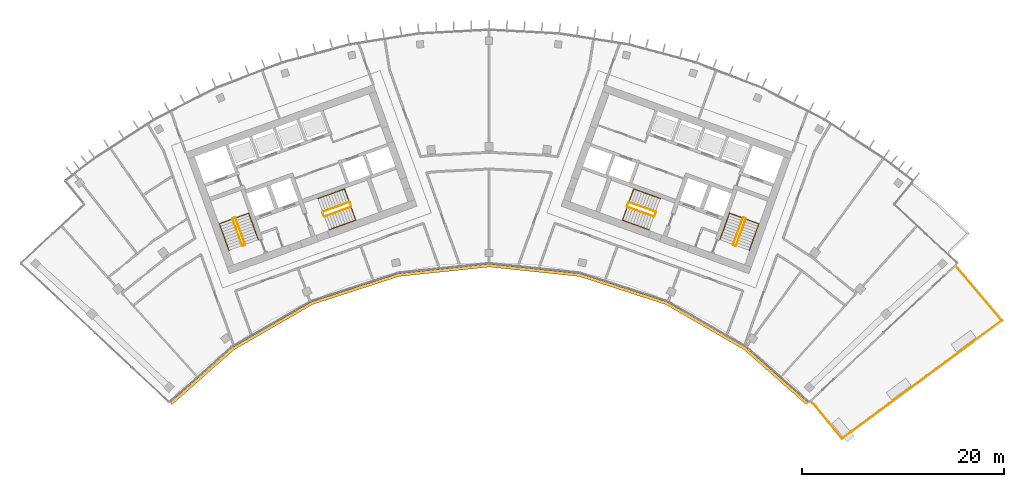
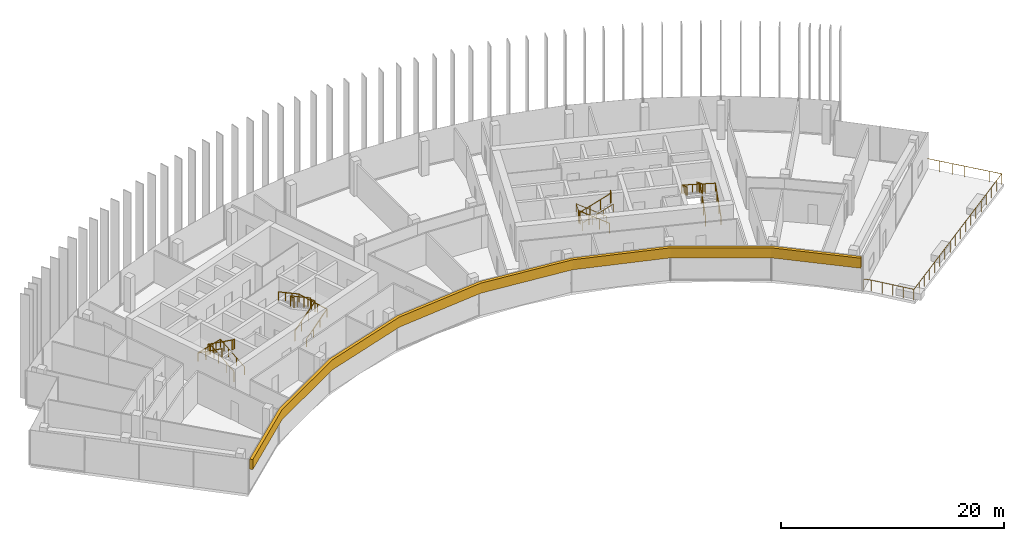
# One storey, part 18 of 19: 13 railings, 1 covering.
"""IFC4 building model written with IfcOpenShell, lengths in metres."""

from ifc_helpers import new_model, si_unit, direction, frame, origin, origin_2d, place, context, subcontext, project, spatial, polyline, circle, outline, extrude, material, layer, layer_set, type_object, element, save


model = new_model("IFC4")

# Units and contexts
model_context = context("Model", 3, precision=1e-05, world=origin(), true_north=direction((0.0, 1.0)))
body_context = subcontext(model_context, "Body", "Model", "MODEL_VIEW")
ifc_project = project(units=[si_unit("LENGTHUNIT", "METRE"), si_unit("AREAUNIT", "SQUARE_METRE"), si_unit("VOLUMEUNIT", "CUBIC_METRE"), si_unit("PLANEANGLEUNIT", "RADIAN"), si_unit("MASSUNIT", "GRAM", prefix="KILO")], contexts=[model_context])

# Site, building, storey
site_placement = place(None, origin())
site = spatial("IfcSite", under=ifc_project, at=site_placement, CompositionType="ELEMENT")
building_placement = place(site_placement, origin())
building = spatial("IfcBuilding", under=site, at=building_placement, Name="Stone Belt Terrace Tower", CompositionType="ELEMENT")
storey_placement = place(building_placement, frame((0.0, 0.0, 258.0)))
storey = spatial("IfcBuildingStorey", under=building, at=storey_placement, Name="L62", CompositionType="ELEMENT", Elevation=258.0)

# Railings
ifc_material_1 = material(Name="Structural steel C345", Category="steel")
railing_type_1 = type_object("IfcRailingType", Name="Stair guard 1100", PredefinedType="GUARDRAIL", material=ifc_material_1)
railing_1_placement = place(storey_placement, frame((-24.2119140625, 45.276123046875, 0.172607421875)))
element("IfcRailing", 1, at=railing_1_placement, inside=storey, type_object=railing_type_1, Name="L62 ST1A stair guard 1", PredefinedType="GUARDRAIL", context=body_context, shape_type="SweptSolid", body=[
    extrude(circle(Radius=0.02392578125, at=origin_2d()), frame((0.0, 0.0, 1.076171875), z_axis=(-0.288228637646, 0.800791768495, 0.525030280985), x_axis=(-0.940908529223, -0.338660803216, 0.0)), (0.0, 0.0, 1.0), 3.289794921875),
    extrude(circle(Radius=0.02392578125, at=origin_2d()), frame((-0.9482421875, 2.634521484375, 2.80322265625), z_axis=(-0.905209821074, 0.424964916, 0.0), x_axis=(-0.424964916, -0.905209821074, 0.0)), (0.0, 0.0, 1.0), 0.070556640625),
    extrude(circle(Radius=0.02392578125, at=origin_2d()), frame((-1.01220703125, 2.66455078125, 2.80322265625), z_axis=(-0.941105063269, -0.338114270461, 0.0), x_axis=(0.338114270461, -0.941105063269, 0.0)), (0.0, 0.0, 1.0), 0.199951171875),
    extrude(circle(Radius=0.02099609375, at=origin_2d()), origin(), (0.0, 0.0, 1.0), 1.052001953125),
    extrude(circle(Radius=0.02099609375, at=origin_2d()), frame((-0.316162109375, 0.878173828125, 0.57568359375)), (0.0, 0.0, 1.0), 1.052001953125),
    extrude(circle(Radius=0.02099609375, at=origin_2d()), frame((-0.632080078125, 1.75634765625, 1.151611328125)), (0.0, 0.0, 1.0), 1.052001953125),
    extrude(circle(Radius=0.02099609375, at=origin_2d()), frame((-0.9482421875, 2.634521484375, 1.727294921875)), (0.0, 0.0, 1.0), 1.052001953125),
    extrude(circle(Radius=0.02099609375, at=origin_2d()), frame((-1.01220703125, 2.66455078125, 1.727294921875)), (0.0, 0.0, 1.0), 1.052001953125),
    extrude(circle(Radius=0.02099609375, at=origin_2d()), frame((-1.200439453125, 2.596923828125, 1.727294921875)), (0.0, 0.0, 1.0), 1.052001953125),
])
railing_2_placement = place(storey_placement, frame((-25.4423828125, 47.80908203125, 2.07275390625)))
element("IfcRailing", 2, at=railing_2_placement, inside=storey, type_object=railing_type_1, Name="L62 ST1A stair guard 2", PredefinedType="GUARDRAIL", context=body_context, shape_type="SweptSolid", body=[
    extrude(circle(Radius=0.02392578125, at=origin_2d()), frame((0.0, 0.0, 1.076171875), z_axis=(0.288228637646, -0.800791768495, 0.525030280985), x_axis=(0.940908529223, 0.338660803216, 0.0)), (0.0, 0.0, 1.0), 3.289794921875),
    extrude(circle(Radius=0.02392578125, at=origin_2d()), frame((0.9482421875, -2.634521484375, 2.80322265625), z_axis=(0.903878284585, -0.427789722475, 0.0), x_axis=(0.427789722475, 0.903878284585, 0.0)), (0.0, 0.0, 1.0), 0.07080078125),
    extrude(circle(Radius=0.02392578125, at=origin_2d()), frame((1.01220703125, -2.664794921875, 2.80322265625), z_axis=(0.940575576748, 0.339584429008, 0.0), x_axis=(-0.339584429008, 0.940575576748, 0.0)), (0.0, 0.0, 1.0), 0.199951171875),
    extrude(circle(Radius=0.02099609375, at=origin_2d()), origin(), (0.0, 0.0, 1.0), 1.052001953125),
    extrude(circle(Radius=0.02099609375, at=origin_2d()), frame((0.316162109375, -0.878173828125, 0.57568359375)), (0.0, 0.0, 1.0), 1.052001953125),
    extrude(circle(Radius=0.02099609375, at=origin_2d()), frame((0.632080078125, -1.75634765625, 1.151611328125)), (0.0, 0.0, 1.0), 1.052001953125),
    extrude(circle(Radius=0.02099609375, at=origin_2d()), frame((0.9482421875, -2.634521484375, 1.727294921875)), (0.0, 0.0, 1.0), 1.052001953125),
    extrude(circle(Radius=0.02099609375, at=origin_2d()), frame((1.01220703125, -2.664794921875, 1.727294921875)), (0.0, 0.0, 1.0), 1.052001953125),
    extrude(circle(Radius=0.02099609375, at=origin_2d()), frame((1.2001953125, -2.596923828125, 1.727294921875)), (0.0, 0.0, 1.0), 1.052001953125),
])
railing_3_placement = place(storey_placement, frame((-16.33837890625, 48.056640625, 0.172607421875)))
element("IfcRailing", 3, at=railing_3_placement, inside=storey, type_object=railing_type_1, Name="L62 ST2A stair guard 1", PredefinedType="GUARDRAIL", context=body_context, shape_type="SweptSolid", body=[
    extrude(circle(Radius=0.02392578125, at=origin_2d()), frame((0.0, 0.0, 1.076171875), z_axis=(0.800808895155, 0.288160591223, 0.52504150989), x_axis=(-0.338583606334, 0.940936311087, 0.0)), (0.0, 0.0, 1.0), 3.289794921875),
    extrude(circle(Radius=0.02392578125, at=origin_2d()), frame((2.634521484375, 0.947998046875, 2.80322265625), z_axis=(0.427789722475, 0.903878284585, 0.0), x_axis=(-0.903878284585, 0.427789722475, 0.0)), (0.0, 0.0, 1.0), 0.07080078125),
    extrude(circle(Radius=0.02392578125, at=origin_2d()), frame((2.664794921875, 1.011962890625, 2.80322265625), z_axis=(-0.338654645739, 0.940910745459, 0.0), x_axis=(-0.940910745459, -0.338654645739, 0.0)), (0.0, 0.0, 1.0), 0.400146484375),
    extrude(circle(Radius=0.02099609375, at=origin_2d()), origin(), (0.0, 0.0, 1.0), 1.052001953125),
    extrude(circle(Radius=0.02099609375, at=origin_2d()), frame((0.878173828125, 0.31591796875, 0.57568359375)), (0.0, 0.0, 1.0), 1.052001953125),
    extrude(circle(Radius=0.02099609375, at=origin_2d()), frame((1.75634765625, 0.632080078125, 1.151611328125)), (0.0, 0.0, 1.0), 1.052001953125),
    extrude(circle(Radius=0.02099609375, at=origin_2d()), frame((2.634521484375, 0.947998046875, 1.727294921875)), (0.0, 0.0, 1.0), 1.052001953125),
    extrude(circle(Radius=0.02099609375, at=origin_2d()), frame((2.664794921875, 1.011962890625, 1.727294921875)), (0.0, 0.0, 1.0), 1.052001953125),
    extrude(circle(Radius=0.02099609375, at=origin_2d()), frame((2.529296875, 1.388427734375, 1.727294921875)), (0.0, 0.0, 1.0), 1.052001953125),
])
railing_4_placement = place(storey_placement, frame((-13.873046875, 49.47509765625, 2.07275390625)))
element("IfcRailing", 4, at=railing_4_placement, inside=storey, type_object=railing_type_1, Name="L62 ST2A stair guard 2", PredefinedType="GUARDRAIL", context=body_context, shape_type="SweptSolid", body=[
    extrude(circle(Radius=0.02392578125, at=origin_2d()), frame((0.0, 0.0, 1.076171875), z_axis=(-0.800808895155, -0.288160591223, 0.52504150989), x_axis=(0.338583606334, -0.940936311087, 0.0)), (0.0, 0.0, 1.0), 3.289794921875),
    extrude(circle(Radius=0.02392578125, at=origin_2d()), frame((-2.634521484375, -0.947998046875, 2.80322265625), z_axis=(-0.427789722475, -0.903878284585, 0.0), x_axis=(0.903878284585, -0.427789722475, 0.0)), (0.0, 0.0, 1.0), 0.07080078125),
    extrude(circle(Radius=0.02392578125, at=origin_2d()), frame((-2.664794921875, -1.011962890625, 2.80322265625), z_axis=(0.338654645739, -0.940910745459, 0.0), x_axis=(0.940910745459, 0.338654645739, 0.0)), (0.0, 0.0, 1.0), 0.400146484375),
    extrude(circle(Radius=0.02099609375, at=origin_2d()), origin(), (0.0, 0.0, 1.0), 1.052001953125),
    extrude(circle(Radius=0.02099609375, at=origin_2d()), frame((-0.878173828125, -0.31591796875, 0.57568359375)), (0.0, 0.0, 1.0), 1.052001953125),
    extrude(circle(Radius=0.02099609375, at=origin_2d()), frame((-1.75634765625, -0.632080078125, 1.151611328125)), (0.0, 0.0, 1.0), 1.052001953125),
    extrude(circle(Radius=0.02099609375, at=origin_2d()), frame((-2.634521484375, -0.947998046875, 1.727294921875)), (0.0, 0.0, 1.0), 1.052001953125),
    extrude(circle(Radius=0.02099609375, at=origin_2d()), frame((-2.664794921875, -1.011962890625, 1.727294921875)), (0.0, 0.0, 1.0), 1.052001953125),
    extrude(circle(Radius=0.02099609375, at=origin_2d()), frame((-2.529296875, -1.388427734375, 1.727294921875)), (0.0, 0.0, 1.0), 1.052001953125),
])
railing_5_placement = place(storey_placement, frame((24.494140625, 45.174560546875, 0.172607421875)))
element("IfcRailing", 5, at=railing_5_placement, inside=storey, type_object=railing_type_1, Name="L62 ST1B stair guard 1", PredefinedType="GUARDRAIL", context=body_context, shape_type="SweptSolid", body=[
    extrude(circle(Radius=0.02392578125, at=origin_2d()), frame((0.0, 0.0, 1.076171875), z_axis=(0.288228637646, 0.800791768495, 0.525030280985), x_axis=(-0.940908529223, 0.338660803216, 0.0)), (0.0, 0.0, 1.0), 3.289794921875),
    extrude(circle(Radius=0.02392578125, at=origin_2d()), frame((0.9482421875, 2.634521484375, 2.80322265625), z_axis=(-0.424964916, 0.905209821074, 0.0), x_axis=(-0.905209821074, -0.424964916, 0.0)), (0.0, 0.0, 1.0), 0.070556640625),
    extrude(circle(Radius=0.02392578125, at=origin_2d()), frame((0.918212890625, 2.698486328125, 2.80322265625), z_axis=(-0.941105063269, 0.338114270461, 0.0), x_axis=(-0.338114270461, -0.941105063269, 0.0)), (0.0, 0.0, 1.0), 0.199951171875),
    extrude(circle(Radius=0.02099609375, at=origin_2d()), origin(), (0.0, 0.0, 1.0), 1.052001953125),
    extrude(circle(Radius=0.02099609375, at=origin_2d()), frame((0.316162109375, 0.878173828125, 0.57568359375)), (0.0, 0.0, 1.0), 1.052001953125),
    extrude(circle(Radius=0.02099609375, at=origin_2d()), frame((0.632080078125, 1.75634765625, 1.151611328125)), (0.0, 0.0, 1.0), 1.052001953125),
    extrude(circle(Radius=0.02099609375, at=origin_2d()), frame((0.9482421875, 2.634521484375, 1.727294921875)), (0.0, 0.0, 1.0), 1.052001953125),
    extrude(circle(Radius=0.02099609375, at=origin_2d()), frame((0.918212890625, 2.698486328125, 1.727294921875)), (0.0, 0.0, 1.0), 1.052001953125),
    extrude(circle(Radius=0.02099609375, at=origin_2d()), frame((0.72998046875, 2.76611328125, 1.727294921875)), (0.0, 0.0, 1.0), 1.052001953125),
])
railing_6_placement = place(storey_placement, frame((25.16015625, 47.91064453125, 2.07275390625)))
element("IfcRailing", 6, at=railing_6_placement, inside=storey, type_object=railing_type_1, Name="L62 ST1B stair guard 2", PredefinedType="GUARDRAIL", context=body_context, shape_type="SweptSolid", body=[
    extrude(circle(Radius=0.02392578125, at=origin_2d()), frame((0.0, 0.0, 1.076171875), z_axis=(-0.288228637646, -0.800791768495, 0.525030280985), x_axis=(0.940908529223, -0.338660803216, 0.0)), (0.0, 0.0, 1.0), 3.289794921875),
    extrude(circle(Radius=0.02392578125, at=origin_2d()), frame((-0.9482421875, -2.634521484375, 2.80322265625), z_axis=(0.427789722475, -0.903878284585, 0.0), x_axis=(0.903878284585, 0.427789722475, 0.0)), (0.0, 0.0, 1.0), 0.07080078125),
    extrude(circle(Radius=0.02392578125, at=origin_2d()), frame((-0.91796875, -2.698486328125, 2.80322265625), z_axis=(0.940575576748, -0.339584429008, 0.0), x_axis=(0.339584429008, 0.940575576748, 0.0)), (0.0, 0.0, 1.0), 0.199951171875),
    extrude(circle(Radius=0.02099609375, at=origin_2d()), origin(), (0.0, 0.0, 1.0), 1.052001953125),
    extrude(circle(Radius=0.02099609375, at=origin_2d()), frame((-0.316162109375, -0.878173828125, 0.57568359375)), (0.0, 0.0, 1.0), 1.052001953125),
    extrude(circle(Radius=0.02099609375, at=origin_2d()), frame((-0.632080078125, -1.75634765625, 1.151611328125)), (0.0, 0.0, 1.0), 1.052001953125),
    extrude(circle(Radius=0.02099609375, at=origin_2d()), frame((-0.9482421875, -2.634521484375, 1.727294921875)), (0.0, 0.0, 1.0), 1.052001953125),
    extrude(circle(Radius=0.02099609375, at=origin_2d()), frame((-0.91796875, -2.698486328125, 1.727294921875)), (0.0, 0.0, 1.0), 1.052001953125),
    extrude(circle(Radius=0.02099609375, at=origin_2d()), frame((-0.72998046875, -2.766357421875, 1.727294921875)), (0.0, 0.0, 1.0), 1.052001953125),
])
railing_7_placement = place(storey_placement, frame((16.507568359375, 48.527099609375, 0.172607421875)))
element("IfcRailing", 7, at=railing_7_placement, inside=storey, type_object=railing_type_1, Name="L62 ST2B stair guard 1", PredefinedType="GUARDRAIL", context=body_context, shape_type="SweptSolid", body=[
    extrude(circle(Radius=0.02392578125, at=origin_2d()), frame((0.0, 0.0, 1.076171875), z_axis=(-0.800808895155, 0.288160591223, 0.52504150989), x_axis=(-0.338583606334, -0.940936311087, 0.0)), (0.0, 0.0, 1.0), 3.289794921875),
    extrude(circle(Radius=0.02392578125, at=origin_2d()), frame((-2.634521484375, 0.947998046875, 2.80322265625), z_axis=(-0.905209821074, -0.424964916, 0.0), x_axis=(0.424964916, -0.905209821074, 0.0)), (0.0, 0.0, 1.0), 0.070556640625),
    extrude(circle(Radius=0.02392578125, at=origin_2d()), frame((-2.698486328125, 0.91796875, 2.80322265625), z_axis=(-0.338654645739, -0.940910745459, 0.0), x_axis=(0.940910745459, -0.338654645739, 0.0)), (0.0, 0.0, 1.0), 0.400146484375),
    extrude(circle(Radius=0.02099609375, at=origin_2d()), origin(), (0.0, 0.0, 1.0), 1.052001953125),
    extrude(circle(Radius=0.02099609375, at=origin_2d()), frame((-0.878173828125, 0.31591796875, 0.57568359375)), (0.0, 0.0, 1.0), 1.052001953125),
    extrude(circle(Radius=0.02099609375, at=origin_2d()), frame((-1.75634765625, 0.632080078125, 1.151611328125)), (0.0, 0.0, 1.0), 1.052001953125),
    extrude(circle(Radius=0.02099609375, at=origin_2d()), frame((-2.634521484375, 0.947998046875, 1.727294921875)), (0.0, 0.0, 1.0), 1.052001953125),
    extrude(circle(Radius=0.02099609375, at=origin_2d()), frame((-2.698486328125, 0.91796875, 1.727294921875)), (0.0, 0.0, 1.0), 1.052001953125),
    extrude(circle(Radius=0.02099609375, at=origin_2d()), frame((-2.833984375, 0.54150390625, 1.727294921875)), (0.0, 0.0, 1.0), 1.052001953125),
])
railing_8_placement = place(storey_placement, frame((13.703857421875, 49.004638671875, 2.07275390625)))
element("IfcRailing", 8, at=railing_8_placement, inside=storey, type_object=railing_type_1, Name="L62 ST2B stair guard 2", PredefinedType="GUARDRAIL", context=body_context, shape_type="SweptSolid", body=[
    extrude(circle(Radius=0.02392578125, at=origin_2d()), frame((0.0, 0.0, 1.076171875), z_axis=(0.800808895155, -0.288160591223, 0.52504150989), x_axis=(0.338583606334, 0.940936311087, 0.0)), (0.0, 0.0, 1.0), 3.289794921875),
    extrude(circle(Radius=0.02392578125, at=origin_2d()), frame((2.634521484375, -0.947998046875, 2.80322265625), z_axis=(0.905209821074, 0.424964916, 0.0), x_axis=(-0.424964916, 0.905209821074, 0.0)), (0.0, 0.0, 1.0), 0.070556640625),
    extrude(circle(Radius=0.02392578125, at=origin_2d()), frame((2.698486328125, -0.91796875, 2.80322265625), z_axis=(0.338654645739, 0.940910745459, 0.0), x_axis=(-0.940910745459, 0.338654645739, 0.0)), (0.0, 0.0, 1.0), 0.400146484375),
    extrude(circle(Radius=0.02099609375, at=origin_2d()), origin(), (0.0, 0.0, 1.0), 1.052001953125),
    extrude(circle(Radius=0.02099609375, at=origin_2d()), frame((0.878173828125, -0.31591796875, 0.57568359375)), (0.0, 0.0, 1.0), 1.052001953125),
    extrude(circle(Radius=0.02099609375, at=origin_2d()), frame((1.75634765625, -0.632080078125, 1.151611328125)), (0.0, 0.0, 1.0), 1.052001953125),
    extrude(circle(Radius=0.02099609375, at=origin_2d()), frame((2.634521484375, -0.947998046875, 1.727294921875)), (0.0, 0.0, 1.0), 1.052001953125),
    extrude(circle(Radius=0.02099609375, at=origin_2d()), frame((2.698486328125, -0.91796875, 1.727294921875)), (0.0, 0.0, 1.0), 1.052001953125),
    extrude(circle(Radius=0.02099609375, at=origin_2d()), frame((2.833984375, -0.54150390625, 1.727294921875)), (0.0, 0.0, 1.0), 1.052001953125),
])
railing_type_2 = type_object("IfcRailingType", Name="Stair handrail 900", PredefinedType="HANDRAIL", material=ifc_material_1)
railing_9_placement = place(storey_placement, frame((-22.894775390625, 45.750244140625, 0.172607421875)))
element("IfcRailing", 9, at=railing_9_placement, inside=storey, type_object=railing_type_2, Name="L62 ST1A stair handrail 1", PredefinedType="HANDRAIL", context=body_context, shape_type="SweptSolid", body=[
    extrude(circle(Radius=0.02392578125, at=origin_2d()), frame((0.0, 0.0, 0.8759765625), z_axis=(-0.288160591223, 0.800808895155, 0.52504150989), x_axis=(-0.940936311087, -0.338583606334, 0.0)), (0.0, 0.0, 1.0), 3.289794921875),
    extrude(circle(Radius=0.02392578125, at=origin_2d()), frame((-0.947998046875, 2.634521484375, 2.60302734375), z_axis=(-0.939460408074, -0.338105101667, 0.055669398135), x_axis=(0.338630230244, -0.940919532779, 0.0)), (0.0, 0.0, 1.0), 3.10498046875),
    extrude(circle(Radius=0.02392578125, at=origin_2d()), frame((-3.864990234375, 1.584716796875, 2.77587890625), z_axis=(0.288228637646, -0.800791768495, 0.525030280985), x_axis=(0.940908529223, 0.338660803216, 0.0)), (0.0, 0.0, 1.0), 3.289794921875),
    extrude(circle(Radius=0.02099609375, at=origin_2d()), origin(), (0.0, 0.0, 1.0), 0.851806640625),
    extrude(circle(Radius=0.02099609375, at=origin_2d()), frame((-0.31591796875, 0.878173828125, 0.57568359375)), (0.0, 0.0, 1.0), 0.851806640625),
    extrude(circle(Radius=0.02099609375, at=origin_2d()), frame((-0.632080078125, 1.75634765625, 1.151611328125)), (0.0, 0.0, 1.0), 0.851806640625),
    extrude(circle(Radius=0.02099609375, at=origin_2d()), frame((-0.947998046875, 2.634521484375, 1.727294921875)), (0.0, 0.0, 1.0), 0.851806640625),
    extrude(circle(Radius=0.02099609375, at=origin_2d()), frame((-1.92041015625, 2.28466796875, 1.784912109375)), (0.0, 0.0, 1.0), 0.851806640625),
    extrude(circle(Radius=0.02099609375, at=origin_2d()), frame((-2.892578125, 1.9345703125, 1.842529296875)), (0.0, 0.0, 1.0), 0.851806640625),
    extrude(circle(Radius=0.02099609375, at=origin_2d()), frame((-3.864990234375, 1.584716796875, 1.900146484375)), (0.0, 0.0, 1.0), 0.851806640625),
    extrude(circle(Radius=0.02099609375, at=origin_2d()), frame((-3.548828125, 0.70654296875, 2.475830078125)), (0.0, 0.0, 1.0), 0.851806640625),
    extrude(circle(Radius=0.02099609375, at=origin_2d()), frame((-3.23291015625, -0.171630859375, 3.0517578125)), (0.0, 0.0, 1.0), 0.851806640625),
    extrude(circle(Radius=0.02099609375, at=origin_2d()), frame((-2.916748046875, -1.0498046875, 3.62744140625)), (0.0, 0.0, 1.0), 0.851806640625),
])
railing_10_placement = place(storey_placement, frame((-15.8642578125, 46.7392578125, 0.172607421875)))
element("IfcRailing", 10, at=railing_10_placement, inside=storey, type_object=railing_type_2, Name="L62 ST2A stair handrail 1", PredefinedType="HANDRAIL", context=body_context, shape_type="SweptSolid", body=[
    extrude(circle(Radius=0.02392578125, at=origin_2d()), frame((0.0, 0.0, 0.8759765625), z_axis=(0.800791768495, 0.288228637646, 0.525030280985), x_axis=(-0.338660803216, 0.940908529223, 0.0)), (0.0, 0.0, 1.0), 3.289794921875),
    extrude(circle(Radius=0.02392578125, at=origin_2d()), frame((2.634521484375, 0.9482421875, 2.60302734375), z_axis=(-0.338158948057, 0.939634149308, 0.052308615955), x_axis=(-0.940922302781, -0.338622533404, 0.0)), (0.0, 0.0, 1.0), 3.304443359375),
    extrude(circle(Radius=0.02392578125, at=origin_2d()), frame((1.51708984375, 4.05322265625, 2.77587890625), z_axis=(-0.800791768495, -0.288228637646, 0.525030280985), x_axis=(0.338660803216, -0.940908529223, 0.0)), (0.0, 0.0, 1.0), 3.289794921875),
    extrude(circle(Radius=0.02099609375, at=origin_2d()), origin(), (0.0, 0.0, 1.0), 0.851806640625),
    extrude(circle(Radius=0.02099609375, at=origin_2d()), frame((0.878173828125, 0.316162109375, 0.57568359375)), (0.0, 0.0, 1.0), 0.851806640625),
    extrude(circle(Radius=0.02099609375, at=origin_2d()), frame((1.75634765625, 0.632080078125, 1.151611328125)), (0.0, 0.0, 1.0), 0.851806640625),
    extrude(circle(Radius=0.02099609375, at=origin_2d()), frame((2.634521484375, 0.9482421875, 1.727294921875)), (0.0, 0.0, 1.0), 0.851806640625),
    extrude(circle(Radius=0.02099609375, at=origin_2d()), frame((2.261962890625, 1.983154296875, 1.784912109375)), (0.0, 0.0, 1.0), 0.851806640625),
    extrude(circle(Radius=0.02099609375, at=origin_2d()), frame((1.8896484375, 3.018310546875, 1.842529296875)), (0.0, 0.0, 1.0), 0.851806640625),
    extrude(circle(Radius=0.02099609375, at=origin_2d()), frame((1.51708984375, 4.05322265625, 1.900146484375)), (0.0, 0.0, 1.0), 0.851806640625),
    extrude(circle(Radius=0.02099609375, at=origin_2d()), frame((0.638916015625, 3.737060546875, 2.475830078125)), (0.0, 0.0, 1.0), 0.851806640625),
    extrude(circle(Radius=0.02099609375, at=origin_2d()), frame((-0.2392578125, 3.421142578125, 3.0517578125)), (0.0, 0.0, 1.0), 0.851806640625),
    extrude(circle(Radius=0.02099609375, at=origin_2d()), frame((-1.117431640625, 3.10498046875, 3.62744140625)), (0.0, 0.0, 1.0), 0.851806640625),
])
railing_11_placement = place(storey_placement, frame((25.8115234375, 44.700439453125, 0.172607421875)))
element("IfcRailing", 11, at=railing_11_placement, inside=storey, type_object=railing_type_2, Name="L62 ST1B stair handrail 1", PredefinedType="HANDRAIL", context=body_context, shape_type="SweptSolid", body=[
    extrude(circle(Radius=0.02392578125, at=origin_2d()), frame((0.0, 0.0, 0.8759765625), z_axis=(0.288228637646, 0.800791768495, 0.525030280985), x_axis=(-0.940908529223, 0.338660803216, 0.0)), (0.0, 0.0, 1.0), 3.289794921875),
    extrude(circle(Radius=0.02392578125, at=origin_2d()), frame((0.9482421875, 2.634521484375, 2.60302734375), z_axis=(-0.939460408074, 0.338105101667, 0.055669398135), x_axis=(-0.338630230244, -0.940919532779, 0.0)), (0.0, 0.0, 1.0), 3.10498046875),
    extrude(circle(Radius=0.02392578125, at=origin_2d()), frame((-1.96875, 3.684326171875, 2.77587890625), z_axis=(-0.288160591223, -0.800808895155, 0.52504150989), x_axis=(0.940936311087, -0.338583606334, 0.0)), (0.0, 0.0, 1.0), 3.289794921875),
    extrude(circle(Radius=0.02099609375, at=origin_2d()), origin(), (0.0, 0.0, 1.0), 0.851806640625),
    extrude(circle(Radius=0.02099609375, at=origin_2d()), frame((0.316162109375, 0.878173828125, 0.57568359375)), (0.0, 0.0, 1.0), 0.851806640625),
    extrude(circle(Radius=0.02099609375, at=origin_2d()), frame((0.632080078125, 1.75634765625, 1.151611328125)), (0.0, 0.0, 1.0), 0.851806640625),
    extrude(circle(Radius=0.02099609375, at=origin_2d()), frame((0.9482421875, 2.634521484375, 1.727294921875)), (0.0, 0.0, 1.0), 0.851806640625),
    extrude(circle(Radius=0.02099609375, at=origin_2d()), frame((-0.024169921875, 2.984375, 1.784912109375)), (0.0, 0.0, 1.0), 0.851806640625),
    extrude(circle(Radius=0.02099609375, at=origin_2d()), frame((-0.996337890625, 3.33447265625, 1.842529296875)), (0.0, 0.0, 1.0), 0.851806640625),
    extrude(circle(Radius=0.02099609375, at=origin_2d()), frame((-1.96875, 3.684326171875, 1.900146484375)), (0.0, 0.0, 1.0), 0.851806640625),
    extrude(circle(Radius=0.02099609375, at=origin_2d()), frame((-2.28466796875, 2.80615234375, 2.475830078125)), (0.0, 0.0, 1.0), 0.851806640625),
    extrude(circle(Radius=0.02099609375, at=origin_2d()), frame((-2.600830078125, 1.927978515625, 3.0517578125)), (0.0, 0.0, 1.0), 0.851806640625),
    extrude(circle(Radius=0.02099609375, at=origin_2d()), frame((-2.916748046875, 1.0498046875, 3.62744140625)), (0.0, 0.0, 1.0), 0.851806640625),
])
railing_12_placement = place(storey_placement, frame((16.981689453125, 49.84423828125, 0.172607421875)))
element("IfcRailing", 12, at=railing_12_placement, inside=storey, type_object=railing_type_2, Name="L62 ST2B stair handrail 1", PredefinedType="HANDRAIL", context=body_context, shape_type="SweptSolid", body=[
    extrude(circle(Radius=0.02392578125, at=origin_2d()), frame((0.0, 0.0, 0.8759765625), z_axis=(-0.800791768495, 0.288228637646, 0.525030280985), x_axis=(-0.338660803216, -0.940908529223, 0.0)), (0.0, 0.0, 1.0), 3.289794921875),
    extrude(circle(Radius=0.02392578125, at=origin_2d()), frame((-2.634521484375, 0.9482421875, 2.60302734375), z_axis=(-0.338158948057, -0.939634149308, 0.052308615955), x_axis=(0.940922302781, -0.338622533404, 0.0)), (0.0, 0.0, 1.0), 3.304443359375),
    extrude(circle(Radius=0.02392578125, at=origin_2d()), frame((-3.751953125, -2.15673828125, 2.77587890625), z_axis=(0.800791768495, -0.288228637646, 0.525030280985), x_axis=(0.338660803216, 0.940908529223, 0.0)), (0.0, 0.0, 1.0), 3.289794921875),
    extrude(circle(Radius=0.02099609375, at=origin_2d()), origin(), (0.0, 0.0, 1.0), 0.851806640625),
    extrude(circle(Radius=0.02099609375, at=origin_2d()), frame((-0.878173828125, 0.316162109375, 0.57568359375)), (0.0, 0.0, 1.0), 0.851806640625),
    extrude(circle(Radius=0.02099609375, at=origin_2d()), frame((-1.75634765625, 0.632080078125, 1.151611328125)), (0.0, 0.0, 1.0), 0.851806640625),
    extrude(circle(Radius=0.02099609375, at=origin_2d()), frame((-2.634521484375, 0.9482421875, 1.727294921875)), (0.0, 0.0, 1.0), 0.851806640625),
    extrude(circle(Radius=0.02099609375, at=origin_2d()), frame((-3.007080078125, -0.086669921875, 1.784912109375)), (0.0, 0.0, 1.0), 0.851806640625),
    extrude(circle(Radius=0.02099609375, at=origin_2d()), frame((-3.37939453125, -1.121826171875, 1.842529296875)), (0.0, 0.0, 1.0), 0.851806640625),
    extrude(circle(Radius=0.02099609375, at=origin_2d()), frame((-3.751953125, -2.15673828125, 1.900146484375)), (0.0, 0.0, 1.0), 0.851806640625),
    extrude(circle(Radius=0.02099609375, at=origin_2d()), frame((-2.873779296875, -2.472900390625, 2.475830078125)), (0.0, 0.0, 1.0), 0.851806640625),
    extrude(circle(Radius=0.02099609375, at=origin_2d()), frame((-1.99560546875, -2.788818359375, 3.0517578125)), (0.0, 0.0, 1.0), 0.851806640625),
    extrude(circle(Radius=0.02099609375, at=origin_2d()), frame((-1.117431640625, -3.10498046875, 3.62744140625)), (0.0, 0.0, 1.0), 0.851806640625),
])
ifc_material_2 = material(Name="Stainless steel AISI 304", Category="steel")
railing_type_3 = type_object("IfcRailingType", Name="Terrace guard 1200", PredefinedType="GUARDRAIL", material=ifc_material_2)
railing_13_placement = place(storey_placement, frame((31.940185546875, 29.7060546875, 0.0)))
element("IfcRailing", 13, at=railing_13_placement, inside=storey, type_object=railing_type_3, Name="GUARD L62 1.1", PredefinedType="GUARDRAIL", context=body_context, shape_type="SweptSolid", body=[
    extrude(circle(Radius=0.02490234375, at=origin_2d()), frame((0.0, 0.0, 1.1748046875), z_axis=(0.707106781187, -0.707106781187, 0.0), x_axis=(0.707106781187, 0.707106781187, 0.0)), (0.0, 0.0, 1.0), 0.704345703125),
    extrude(circle(Radius=0.02490234375, at=origin_2d()), frame((0.498046875, -0.498046875, 1.1748046875), z_axis=(0.63237575589, -0.774661799344, 0.0), x_axis=(0.774661799344, 0.63237575589, 0.0)), (0.0, 0.0, 1.0), 4.073486328125),
    extrude(circle(Radius=0.02490234375, at=origin_2d()), frame((3.073974609375, -3.653564453125, 1.1748046875), z_axis=(0.804329644016, 0.594183325041, 0.0), x_axis=(-0.594183325041, 0.804329644016, 0.0)), (0.0, 0.0, 1.0), 19.696533203125),
    extrude(circle(Radius=0.02490234375, at=origin_2d()), frame((18.91650390625, 8.0498046875, 1.1748046875), z_axis=(-0.647208840891, 0.762312741775, 0.0), x_axis=(-0.762312741775, -0.647208840891, 0.0)), (0.0, 0.0, 1.0), 7.06298828125),
    extrude(circle(Radius=0.02001953125, at=origin_2d()), origin(), (0.0, 0.0, 1.0), 1.14990234375),
    extrude(circle(Radius=0.02001953125, at=origin_2d()), frame((0.498046875, -0.498046875, 0.0)), (0.0, 0.0, 1.0), 1.14990234375),
    extrude(circle(Radius=0.02001953125, at=origin_2d()), frame((1.14208984375, -1.286865234375, 0.0)), (0.0, 0.0, 1.0), 1.14990234375),
    extrude(circle(Radius=0.02001953125, at=origin_2d()), frame((1.7861328125, -2.07568359375, 0.0)), (0.0, 0.0, 1.0), 1.14990234375),
    extrude(circle(Radius=0.02001953125, at=origin_2d()), frame((2.429931640625, -2.86474609375, 0.0)), (0.0, 0.0, 1.0), 1.14990234375),
    extrude(circle(Radius=0.02001953125, at=origin_2d()), frame((3.073974609375, -3.653564453125, 0.0)), (0.0, 0.0, 1.0), 1.14990234375),
    extrude(circle(Radius=0.02001953125, at=origin_2d()), frame((4.005859375, -2.965087890625, 0.0)), (0.0, 0.0, 1.0), 1.14990234375),
    extrude(circle(Radius=0.02001953125, at=origin_2d()), frame((4.937744140625, -2.276611328125, 0.0)), (0.0, 0.0, 1.0), 1.14990234375),
    extrude(circle(Radius=0.02001953125, at=origin_2d()), frame((5.86962890625, -1.58837890625, 0.0)), (0.0, 0.0, 1.0), 1.14990234375),
    extrude(circle(Radius=0.02001953125, at=origin_2d()), frame((6.801513671875, -0.89990234375, 0.0)), (0.0, 0.0, 1.0), 1.14990234375),
    extrude(circle(Radius=0.02001953125, at=origin_2d()), frame((7.733642578125, -0.21142578125, 0.0)), (0.0, 0.0, 1.0), 1.14990234375),
    extrude(circle(Radius=0.02001953125, at=origin_2d()), frame((8.66552734375, 0.47705078125, 0.0)), (0.0, 0.0, 1.0), 1.14990234375),
    extrude(circle(Radius=0.02001953125, at=origin_2d()), frame((9.597412109375, 1.16552734375, 0.0)), (0.0, 0.0, 1.0), 1.14990234375),
    extrude(circle(Radius=0.02001953125, at=origin_2d()), frame((10.529296875, 1.85400390625, 0.0)), (0.0, 0.0, 1.0), 1.14990234375),
    extrude(circle(Radius=0.02001953125, at=origin_2d()), frame((11.461181640625, 2.542236328125, 0.0)), (0.0, 0.0, 1.0), 1.14990234375),
    extrude(circle(Radius=0.02001953125, at=origin_2d()), frame((12.39306640625, 3.230712890625, 0.0)), (0.0, 0.0, 1.0), 1.14990234375),
    extrude(circle(Radius=0.02001953125, at=origin_2d()), frame((13.324951171875, 3.919189453125, 0.0)), (0.0, 0.0, 1.0), 1.14990234375),
    extrude(circle(Radius=0.02001953125, at=origin_2d()), frame((14.2568359375, 4.607666015625, 0.0)), (0.0, 0.0, 1.0), 1.14990234375),
    extrude(circle(Radius=0.02001953125, at=origin_2d()), frame((15.18896484375, 5.296142578125, 0.0)), (0.0, 0.0, 1.0), 1.14990234375),
    extrude(circle(Radius=0.02001953125, at=origin_2d()), frame((16.120849609375, 5.984619140625, 0.0)), (0.0, 0.0, 1.0), 1.14990234375),
    extrude(circle(Radius=0.02001953125, at=origin_2d()), frame((17.052734375, 6.6728515625, 0.0)), (0.0, 0.0, 1.0), 1.14990234375),
    extrude(circle(Radius=0.02001953125, at=origin_2d()), frame((17.984619140625, 7.361328125, 0.0)), (0.0, 0.0, 1.0), 1.14990234375),
    extrude(circle(Radius=0.02001953125, at=origin_2d()), frame((18.91650390625, 8.0498046875, 0.0)), (0.0, 0.0, 1.0), 1.14990234375),
    extrude(circle(Radius=0.02001953125, at=origin_2d()), frame((18.154541015625, 8.947265625, 0.0)), (0.0, 0.0, 1.0), 1.14990234375),
    extrude(circle(Radius=0.02001953125, at=origin_2d()), frame((17.392822265625, 9.844482421875, 0.0)), (0.0, 0.0, 1.0), 1.14990234375),
    extrude(circle(Radius=0.02001953125, at=origin_2d()), frame((16.630859375, 10.741943359375, 0.0)), (0.0, 0.0, 1.0), 1.14990234375),
    extrude(circle(Radius=0.02001953125, at=origin_2d()), frame((15.868896484375, 11.639404296875, 0.0)), (0.0, 0.0, 1.0), 1.14990234375),
    extrude(circle(Radius=0.02001953125, at=origin_2d()), frame((15.107177734375, 12.53662109375, 0.0)), (0.0, 0.0, 1.0), 1.14990234375),
    extrude(circle(Radius=0.02001953125, at=origin_2d()), frame((14.34521484375, 13.43408203125, 0.0)), (0.0, 0.0, 1.0), 1.14990234375),
])

# Covering
ifc_material_3 = material(Name="Terracotta coloured glazed ceramic", Category="masonry")
ifc_layer = layer(ifc_material_3, 0.300048828125)
ifc_layer_set = layer_set([ifc_layer], Name="Terracotta spandrel band 300 x 1100")
covering_type = type_object("IfcCoveringType", Name="Terracotta spandrel band 300 x 1100", PredefinedType="CLADDING", material=ifc_layer_set)
covering_placement = place(storey_placement, frame((0.0, 0.0, 2.699951171875)))
element("IfcCovering", 14, at=covering_placement, inside=storey, type_object=covering_type, Name="BAND L62", PredefinedType="CLADDING", context=body_context, shape_type="SweptSolid", body=[
    extrude(outline(polyline([(-31.651611328125, 29.6220703125), (-25.480712890625, 35.06982421875), (-17.631591796875, 39.6015625), (-9.0126953125, 42.40185546875), (0.0, 43.34912109375), (9.0126953125, 42.40185546875), (17.631591796875, 39.6015625), (25.480712890625, 35.06982421875), (31.651611328125, 29.6220703125), (31.453125, 29.39697265625), (25.3046875, 34.824951171875), (17.509033203125, 39.325927734375), (8.9501953125, 42.10693359375), (0.0, 43.047607421875), (-8.9501953125, 42.10693359375), (-17.509033203125, 39.325927734375), (-25.3046875, 34.824951171875), (-31.453125, 29.39697265625), (-31.651611328125, 29.6220703125)])), origin(), (0.0, 0.0, 1.0), 1.10009765625),
])

save(model, "model.ifc")
